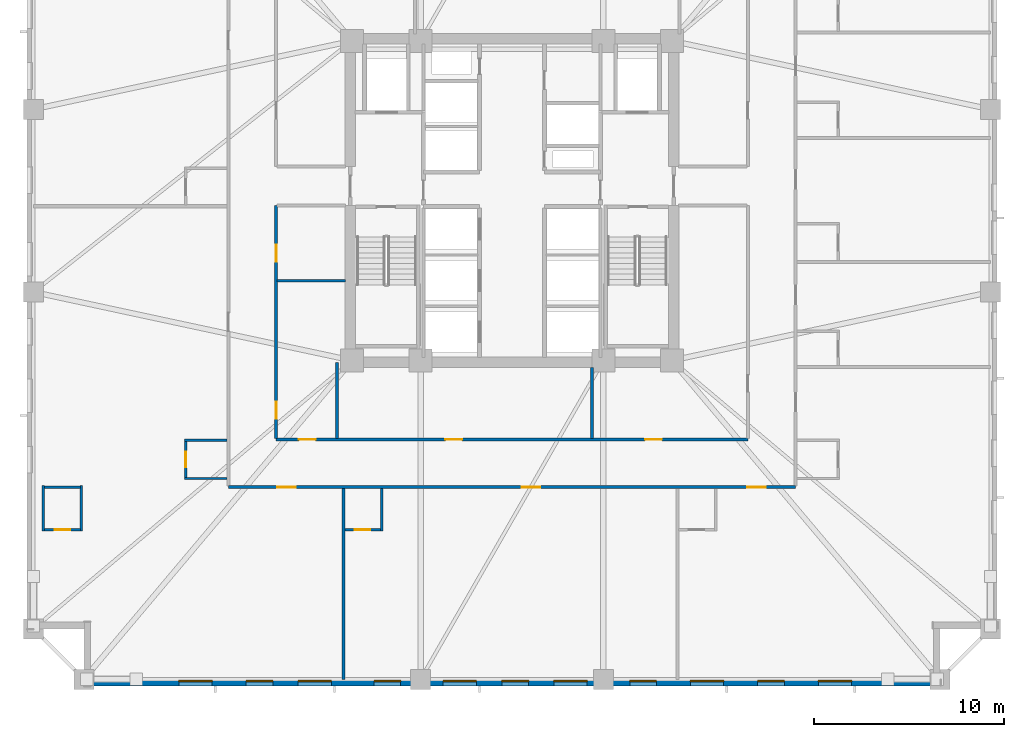
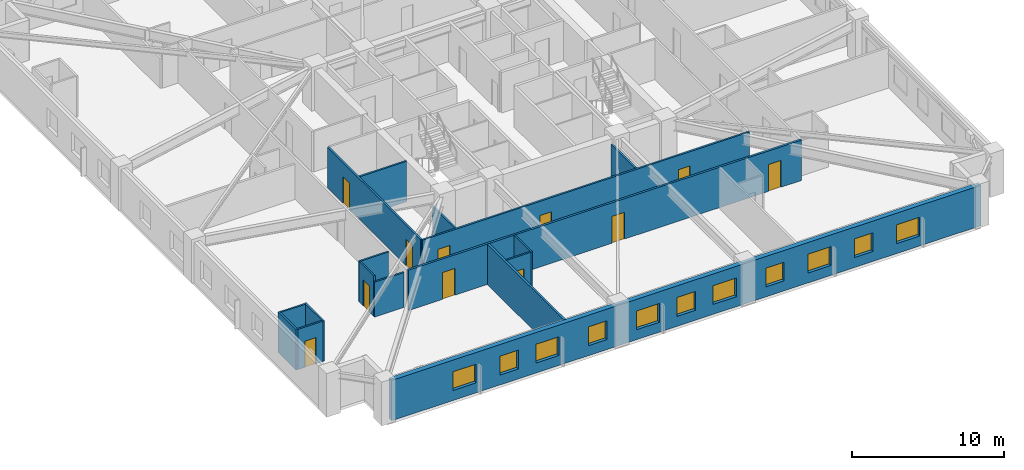
# One storey, part 2 of 11: 17 walls, 11 doors, 11 windows, 22 openings.
"""IFC4 building model written with IfcOpenShell, lengths in metres."""

from ifc_helpers import new_model, si_unit, direction, frame, frame_2d, origin, place, context, subcontext, project, spatial, rectangle, extrude, material, layer, layer_set, type_object, element, fill, save


model = new_model("IFC4")

# Units and contexts
model_context = context("Model", 3, precision=1e-05, world=origin(), true_north=direction((0.0, 1.0)))
body_context = subcontext(model_context, "Body", "Model", "MODEL_VIEW")
ifc_project = project(units=[si_unit("LENGTHUNIT", "METRE"), si_unit("AREAUNIT", "SQUARE_METRE"), si_unit("VOLUMEUNIT", "CUBIC_METRE"), si_unit("PLANEANGLEUNIT", "RADIAN"), si_unit("MASSUNIT", "GRAM", prefix="KILO")], contexts=[model_context])

# Site, building, storey
site_placement = place(None, origin())
site = spatial("IfcSite", under=ifc_project, at=site_placement, CompositionType="ELEMENT")
building_placement = place(site_placement, origin())
building = spatial("IfcBuilding", under=site, at=building_placement, Name="Cairnveth Concourse Tower", CompositionType="ELEMENT")
storey_placement = place(building_placement, frame((0.0, 0.0, 93.5)))
storey = spatial("IfcBuildingStorey", under=building, at=storey_placement, Name="L25", CompositionType="ELEMENT", Elevation=93.5)

# Wall, openings, doors
ifc_material_1 = material(Name="Gypsum Plasterboard Partition", Category="gypsum")
ifc_layer_1 = layer(ifc_material_1, 0.159912109375)
ifc_layer_set_1 = layer_set([ifc_layer_1], Name="Gypsum Plasterboard Partition")
wall_type_1 = type_object("IfcWallType", Name="ACOUSTIC PARTY WALL 180", PredefinedType="PARTITIONING", material=ifc_layer_set_1)
wall_1_placement = place(storey_placement, frame((37.10009765625, 23.949951171875, 0.0), z_axis=(0.0, 0.0, 1.0), x_axis=(1.0, 0.0, 0.0)))
wall_1 = element("IfcWall", 1, at=wall_1_placement, inside=storey, type_object=wall_type_1, Name="Interior Wall IW-L25-037", PredefinedType="PARTITIONING", context=body_context, shape_type="SweptSolid", body=[
    extrude(rectangle(XDim=29.7998046875, YDim=0.159912109375, at=frame_2d((14.89990234375, 0.0))), origin(), (0.0, 0.0, 1.0), 3.239990234375),
])
opening_1_placement = place(wall_1_placement, frame((2.5712890625, 0.0, 0.0)))
opening_1 = element("IfcOpeningElement", 2, at=opening_1_placement, cuts=wall_1, Name="Opening ID09", PredefinedType="OPENING", context=body_context, shape_type="SweptSolid", body=[
    extrude(rectangle(XDim=0.9599609375, YDim=2.14990234375, at=frame_2d((0.47998046875, 1.074951171875))), frame((0.0, 0.08984375, 0.0), z_axis=(0.0, -1.0, 0.0), x_axis=(1.0, 0.0, 0.0)), (0.0, 0.0, 1.0), 0.179931640625),
])
opening_2_placement = place(wall_1_placement, frame((15.419921875, 0.0, 0.0)))
opening_2 = element("IfcOpeningElement", 3, at=opening_2_placement, cuts=wall_1, Name="Opening ID09", PredefinedType="OPENING", context=body_context, shape_type="SweptSolid", body=[
    extrude(rectangle(XDim=0.9599609375, YDim=2.14990234375, at=frame_2d((0.47998046875, 1.074951171875))), frame((0.0, 0.08984375, 0.0), z_axis=(0.0, -1.0, 0.0), x_axis=(1.0, 0.0, 0.0)), (0.0, 0.0, 1.0), 0.179931640625),
])
opening_3_placement = place(wall_1_placement, frame((27.268798828125, 0.0, 0.0)))
opening_3 = element("IfcOpeningElement", 4, at=opening_3_placement, cuts=wall_1, Name="Opening ID09", PredefinedType="OPENING", context=body_context, shape_type="SweptSolid", body=[
    extrude(rectangle(XDim=0.9599609375, YDim=2.14990234375, at=frame_2d((0.47998046875, 1.074951171875))), frame((0.0, 0.08984375, 0.0), z_axis=(0.0, -1.0, 0.0), x_axis=(1.0, 0.0, 0.0)), (0.0, 0.0, 1.0), 0.179931640625),
])
ifc_material_2 = material(Name="Solid Core Hardwood Timber Leaf", Category="wood")
door_type_1 = type_object("IfcDoorType", Name="HOTEL ENTRANCE DOOR 960X2150", OperationType="NOTDEFINED", PredefinedType="DOOR", material=ifc_material_2)
door_1_placement = place(opening_1_placement, origin())
door_1 = element("IfcDoor", 5, at=door_1_placement, inside=storey, type_object=door_type_1, Name="Hotel Room Door L25-S1", OperationType="SINGLE_SWING_LEFT", OverallHeight=2.14990234375, OverallWidth=0.9599609375, PredefinedType="DOOR", context=body_context, shape_type="SweptSolid", body=[
    extrude(rectangle(XDim=0.9599609375, YDim=2.14990234375, at=frame_2d((0.47998046875, 1.074951171875))), frame((0.0, 0.02490234375, 0.0), z_axis=(0.0, -1.0, 0.0), x_axis=(1.0, 0.0, 0.0)), (0.0, 0.0, 1.0), 0.050048828125),
])
fill(opening_1, door_1)
door_2_placement = place(opening_2_placement, origin())
door_2 = element("IfcDoor", 6, at=door_2_placement, inside=storey, type_object=door_type_1, Name="Hotel Room Door L25-S2", OperationType="SINGLE_SWING_LEFT", OverallHeight=2.14990234375, OverallWidth=0.9599609375, PredefinedType="DOOR", context=body_context, shape_type="SweptSolid", body=[
    extrude(rectangle(XDim=0.9599609375, YDim=2.14990234375, at=frame_2d((0.47998046875, 1.074951171875))), frame((0.0, 0.02490234375, 0.0), z_axis=(0.0, -1.0, 0.0), x_axis=(1.0, 0.0, 0.0)), (0.0, 0.0, 1.0), 0.050048828125),
])
fill(opening_2, door_2)
door_3_placement = place(opening_3_placement, origin())
door_3 = element("IfcDoor", 7, at=door_3_placement, inside=storey, type_object=door_type_1, Name="Hotel Room Door L25-S3", OperationType="SINGLE_SWING_LEFT", OverallHeight=2.14990234375, OverallWidth=0.9599609375, PredefinedType="DOOR", context=body_context, shape_type="SweptSolid", body=[
    extrude(rectangle(XDim=0.9599609375, YDim=2.14990234375, at=frame_2d((0.47998046875, 1.074951171875))), frame((0.0, 0.02490234375, 0.0), z_axis=(0.0, -1.0, 0.0), x_axis=(1.0, 0.0, 0.0)), (0.0, 0.0, 1.0), 0.050048828125),
])
fill(opening_3, door_3)

# Wall
wall_2_placement = place(storey_placement, frame((43.152587890625, 13.844970703125, 0.0), z_axis=(0.0, 0.0, 1.0), x_axis=(0.0, 1.0, 0.0)))
element("IfcWall", 8, at=wall_2_placement, inside=storey, type_object=wall_type_1, Name="Interior Wall IW-L25-060", PredefinedType="PARTITIONING", context=body_context, shape_type="SweptSolid", body=[
    extrude(rectangle(XDim=10.0400390625, YDim=0.159912109375, at=frame_2d((5.02001953125, 0.0))), origin(), (0.0, 0.0, 1.0), 3.239990234375),
])

# Wall, openings, doors
ifc_layer_2 = layer(ifc_material_1, 0.139892578125)
ifc_layer_set_2 = layer_set([ifc_layer_2], Name="Gypsum Plasterboard Partition")
wall_type_2 = type_object("IfcWallType", Name="GYPSUM STUD PARTITION 140", PredefinedType="PARTITIONING", material=ifc_layer_set_2)
wall_3_placement = place(storey_placement, frame((39.60009765625, 26.449951171875, 0.0), z_axis=(0.0, 0.0, 1.0), x_axis=(1.0, 0.0, 0.0)))
wall_3 = element("IfcWall", 9, at=wall_3_placement, inside=storey, type_object=wall_type_2, Name="Interior Wall IW-L25-041", PredefinedType="PARTITIONING", context=body_context, shape_type="SweptSolid", body=[
    extrude(rectangle(XDim=24.7998046875, YDim=0.139892578125, at=frame_2d((12.39990234375, 0.0))), origin(), (0.0, 0.0, 1.0), 3.239990234375),
])
opening_4_placement = place(wall_3_placement, frame((1.199951171875, 0.0, 0.0)))
opening_4 = element("IfcOpeningElement", 10, at=opening_4_placement, cuts=wall_3, Name="Opening ID18", PredefinedType="OPENING", context=body_context, shape_type="SweptSolid", body=[
    extrude(rectangle(XDim=0.8798828125, YDim=2.10009765625, at=frame_2d((0.43994140625, 1.050048828125))), frame((0.0, 0.079833984375, 0.0), z_axis=(0.0, -1.0, 0.0), x_axis=(1.0, 0.0, 0.0)), (0.0, 0.0, 1.0), 0.159912109375),
])
opening_5_placement = place(wall_3_placement, frame((8.89990234375, 0.0, 0.0)))
opening_5 = element("IfcOpeningElement", 11, at=opening_5_placement, cuts=wall_3, Name="Opening ID18", PredefinedType="OPENING", context=body_context, shape_type="SweptSolid", body=[
    extrude(rectangle(XDim=0.8798828125, YDim=2.10009765625, at=frame_2d((0.43994140625, 1.050048828125))), frame((0.0, 0.079833984375, 0.0), z_axis=(0.0, -1.0, 0.0), x_axis=(1.0, 0.0, 0.0)), (0.0, 0.0, 1.0), 0.159912109375),
])
opening_6_placement = place(wall_3_placement, frame((19.39990234375, 0.0, 0.0)))
opening_6 = element("IfcOpeningElement", 12, at=opening_6_placement, cuts=wall_3, Name="Opening ID18", PredefinedType="OPENING", context=body_context, shape_type="SweptSolid", body=[
    extrude(rectangle(XDim=0.8798828125, YDim=2.10009765625, at=frame_2d((0.43994140625, 1.050048828125))), frame((0.0, 0.079833984375, 0.0), z_axis=(0.0, -1.0, 0.0), x_axis=(1.0, 0.0, 0.0)), (0.0, 0.0, 1.0), 0.159912109375),
])
door_type_2 = type_object("IfcDoorType", Name="INTERIOR SINGLE DOOR 880X2100", OperationType="NOTDEFINED", PredefinedType="DOOR", material=ifc_material_2)
door_4_placement = place(opening_4_placement, origin())
door_4 = element("IfcDoor", 13, at=door_4_placement, inside=storey, type_object=door_type_2, Name="Interior Door DR-L25-013", OperationType="SINGLE_SWING_LEFT", OverallHeight=2.10009765625, OverallWidth=0.8798828125, PredefinedType="DOOR", context=body_context, shape_type="SweptSolid", body=[
    extrude(rectangle(XDim=0.8798828125, YDim=2.10009765625, at=frame_2d((0.43994140625, 1.050048828125))), frame((0.0, 0.02490234375, 0.0), z_axis=(0.0, -1.0, 0.0), x_axis=(1.0, 0.0, 0.0)), (0.0, 0.0, 1.0), 0.050048828125),
])
fill(opening_4, door_4)
door_5_placement = place(opening_5_placement, origin())
door_5 = element("IfcDoor", 14, at=door_5_placement, inside=storey, type_object=door_type_2, Name="Interior Door DR-L25-014", OperationType="SINGLE_SWING_RIGHT", OverallHeight=2.10009765625, OverallWidth=0.8798828125, PredefinedType="DOOR", context=body_context, shape_type="SweptSolid", body=[
    extrude(rectangle(XDim=0.8798828125, YDim=2.10009765625, at=frame_2d((0.43994140625, 1.050048828125))), frame((0.0, 0.02490234375, 0.0), z_axis=(0.0, -1.0, 0.0), x_axis=(1.0, 0.0, 0.0)), (0.0, 0.0, 1.0), 0.050048828125),
])
fill(opening_5, door_5)
door_6_placement = place(opening_6_placement, origin())
door_6 = element("IfcDoor", 15, at=door_6_placement, inside=storey, type_object=door_type_2, Name="Interior Door DR-L25-015", OperationType="SINGLE_SWING_LEFT", OverallHeight=2.10009765625, OverallWidth=0.8798828125, PredefinedType="DOOR", context=body_context, shape_type="SweptSolid", body=[
    extrude(rectangle(XDim=0.8798828125, YDim=2.10009765625, at=frame_2d((0.43994140625, 1.050048828125))), frame((0.0, 0.02490234375, 0.0), z_axis=(0.0, -1.0, 0.0), x_axis=(1.0, 0.0, 0.0)), (0.0, 0.0, 1.0), 0.050048828125),
])
fill(opening_6, door_6)

wall_4_placement = place(storey_placement, frame((39.60009765625, 26.5048828125, 0.0), z_axis=(0.0, 0.0, 1.0), x_axis=(0.0, 1.0, 0.0)))
wall_4 = element("IfcWall", 16, at=wall_4_placement, inside=storey, type_object=wall_type_2, Name="Interior Wall IW-L25-043", PredefinedType="PARTITIONING", context=body_context, shape_type="SweptSolid", body=[
    extrude(rectangle(XDim=12.2451171875, YDim=0.139892578125, at=frame_2d((6.12255859375, 0.0))), origin(), (0.0, 0.0, 1.0), 3.239990234375),
])
opening_7_placement = place(wall_4_placement, frame((1.044921875, 0.0, 0.0)))
opening_7 = element("IfcOpeningElement", 17, at=opening_7_placement, cuts=wall_4, Name="Opening ID18", PredefinedType="OPENING", context=body_context, shape_type="SweptSolid", body=[
    extrude(rectangle(XDim=0.8798828125, YDim=2.10009765625, at=frame_2d((0.43994140625, 1.050048828125))), frame((0.0, 0.079833984375, 0.0), z_axis=(0.0, -1.0, 0.0), x_axis=(1.0, 0.0, 0.0)), (0.0, 0.0, 1.0), 0.159912109375),
])
opening_8_placement = place(wall_4_placement, frame((9.294921875, 0.0, 0.0)))
opening_8 = element("IfcOpeningElement", 18, at=opening_8_placement, cuts=wall_4, Name="Opening ID18", PredefinedType="OPENING", context=body_context, shape_type="SweptSolid", body=[
    extrude(rectangle(XDim=0.8798828125, YDim=2.10009765625, at=frame_2d((0.43994140625, 1.050048828125))), frame((0.0, 0.079833984375, 0.0), z_axis=(0.0, -1.0, 0.0), x_axis=(1.0, 0.0, 0.0)), (0.0, 0.0, 1.0), 0.159912109375),
])
door_7_placement = place(opening_7_placement, origin())
door_7 = element("IfcDoor", 19, at=door_7_placement, inside=storey, type_object=door_type_2, Name="Interior Door DR-L25-019", OperationType="SINGLE_SWING_LEFT", OverallHeight=2.10009765625, OverallWidth=0.8798828125, PredefinedType="DOOR", context=body_context, shape_type="SweptSolid", body=[
    extrude(rectangle(XDim=0.8798828125, YDim=2.10009765625, at=frame_2d((0.43994140625, 1.050048828125))), frame((0.0, 0.02490234375, 0.0), z_axis=(0.0, -1.0, 0.0), x_axis=(1.0, 0.0, 0.0)), (0.0, 0.0, 1.0), 0.050048828125),
])
fill(opening_7, door_7)
door_8_placement = place(opening_8_placement, origin())
door_8 = element("IfcDoor", 20, at=door_8_placement, inside=storey, type_object=door_type_2, Name="Interior Door DR-L25-020", OperationType="SINGLE_SWING_RIGHT", OverallHeight=2.10009765625, OverallWidth=0.8798828125, PredefinedType="DOOR", context=body_context, shape_type="SweptSolid", body=[
    extrude(rectangle(XDim=0.8798828125, YDim=2.10009765625, at=frame_2d((0.43994140625, 1.050048828125))), frame((0.0, 0.02490234375, 0.0), z_axis=(0.0, -1.0, 0.0), x_axis=(1.0, 0.0, 0.0)), (0.0, 0.0, 1.0), 0.050048828125),
])
fill(opening_8, door_8)

# Walls
wall_5_placement = place(storey_placement, frame((42.800048828125, 26.5048828125, 0.0), z_axis=(0.0, 0.0, 1.0), x_axis=(0.0, 1.0, 0.0)))
element("IfcWall", 21, at=wall_5_placement, inside=storey, type_object=wall_type_2, Name="Interior Wall IW-L25-051", PredefinedType="PARTITIONING", context=body_context, shape_type="SweptSolid", body=[
    extrude(rectangle(XDim=3.9951171875, YDim=0.139892578125, at=frame_2d((1.99755859375, 0.0))), origin(), (0.0, 0.0, 1.0), 2.39892578125),
])
wall_6_placement = place(storey_placement, frame((56.199951171875, 26.5048828125, 0.0), z_axis=(0.0, 0.0, 1.0), x_axis=(0.0, 1.0, 0.0)))
element("IfcWall", 22, at=wall_6_placement, inside=storey, type_object=wall_type_2, Name="Interior Wall IW-L25-052", PredefinedType="PARTITIONING", context=body_context, shape_type="SweptSolid", body=[
    extrude(rectangle(XDim=3.735107421875, YDim=0.139892578125, at=frame_2d((1.86767578125, 0.0))), origin(), (0.0, 0.0, 1.0), 2.80908203125),
])
wall_7_placement = place(storey_placement, frame((39.655029296875, 34.800048828125, 0.0), z_axis=(0.0, 0.0, 1.0), x_axis=(1.0, 0.0, 0.0)))
element("IfcWall", 23, at=wall_7_placement, inside=storey, type_object=wall_type_2, Name="Interior Wall IW-L25-055", PredefinedType="PARTITIONING", context=body_context, shape_type="SweptSolid", body=[
    extrude(rectangle(XDim=3.5849609375, YDim=0.139892578125, at=frame_2d((1.79248046875, 0.0))), origin(), (0.0, 0.0, 1.0), 3.239990234375),
])
ifc_layer_3 = layer(ifc_material_1, 0.1298828125)
ifc_layer_set_3 = layer_set([ifc_layer_3], Name="Gypsum Plasterboard Partition")
wall_type_3 = type_object("IfcWallType", Name="WET AREA PARTITION 140", PredefinedType="PLUMBINGWALL", material=ifc_layer_set_3)
for number, where, z_axis, x_axis, name in (
    (24, (27.3701171875, 21.64990234375, 0.0), (0.0, 0.0, 1.0), (0.0, 1.0, 0.0), "Interior Wall IW-L25-056"),
    (25, (29.3701171875, 21.64990234375, 0.0), (0.0, 0.0, 1.0), (0.0, 1.0, 0.0), "Interior Wall IW-L25-057"),
):
    element("IfcWall", number, at=place(storey_placement, frame(where, z_axis=z_axis, x_axis=x_axis)), inside=storey, type_object=wall_type_3, Name=name, PredefinedType="PLUMBINGWALL", context=body_context, shape_type="SweptSolid", body=[
        extrude(rectangle(XDim=2.380126953125, YDim=0.1298828125, at=frame_2d((1.18994140625, 0.0))), origin(), (0.0, 0.0, 1.0), 3.239990234375),
    ])

# Wall, opening, door
wall_8_placement = place(storey_placement, frame((27.419921875, 21.699951171875, 0.0), z_axis=(0.0, 0.0, 1.0), x_axis=(1.0, 0.0, 0.0)))
wall_8 = element("IfcWall", 26, at=wall_8_placement, inside=storey, type_object=wall_type_3, Name="Interior Wall IW-L25-058", PredefinedType="PLUMBINGWALL", context=body_context, shape_type="SweptSolid", body=[
    extrude(rectangle(XDim=1.900146484375, YDim=0.1298828125, at=frame_2d((0.9501953125, 0.0))), origin(), (0.0, 0.0, 1.0), 3.239990234375),
])
opening_9_placement = place(wall_8_placement, frame((0.5400390625, 0.0, 0.0)))
opening_9 = element("IfcOpeningElement", 27, at=opening_9_placement, cuts=wall_8, Name="Opening ID22", PredefinedType="OPENING", context=body_context, shape_type="SweptSolid", body=[
    extrude(rectangle(XDim=0.820068359375, YDim=2.10009765625, at=frame_2d((0.41015625, 1.050048828125))), frame((0.0, 0.074951171875, 0.0), z_axis=(0.0, -1.0, 0.0), x_axis=(1.0, 0.0, 0.0)), (0.0, 0.0, 1.0), 0.14990234375),
])
door_type_3 = type_object("IfcDoorType", Name="INTERIOR WC DOOR 820X2100", OperationType="NOTDEFINED", PredefinedType="DOOR", material=ifc_material_2)
door_9_placement = place(opening_9_placement, origin())
door_9 = element("IfcDoor", 28, at=door_9_placement, inside=storey, type_object=door_type_3, Name="En-Suite Door L25-S1", OperationType="SINGLE_SWING_RIGHT", OverallHeight=2.10009765625, OverallWidth=0.820068359375, PredefinedType="DOOR", context=body_context, shape_type="SweptSolid", body=[
    extrude(rectangle(XDim=0.820068359375, YDim=2.10009765625, at=frame_2d((0.41015625, 1.050048828125))), frame((0.0, 0.02490234375, 0.0), z_axis=(0.0, -1.0, 0.0), x_axis=(1.0, 0.0, 0.0)), (0.0, 0.0, 1.0), 0.050048828125),
])
fill(opening_9, door_9)

# Walls
wall_9_placement = place(storey_placement, frame((27.419921875, 23.949951171875, 0.0), z_axis=(0.0, 0.0, 1.0), x_axis=(1.0, 0.0, 0.0)))
element("IfcWall", 29, at=wall_9_placement, inside=storey, type_object=wall_type_3, Name="Interior Wall IW-L25-059", PredefinedType="PLUMBINGWALL", context=body_context, shape_type="SweptSolid", body=[
    extrude(rectangle(XDim=1.900146484375, YDim=0.1298828125, at=frame_2d((0.9501953125, 0.0))), origin(), (0.0, 0.0, 1.0), 3.239990234375),
])
wall_10_placement = place(storey_placement, frame((45.152587890625, 21.64990234375, 0.0), z_axis=(0.0, 0.0, 1.0), x_axis=(0.0, 1.0, 0.0)))
element("IfcWall", 30, at=wall_10_placement, inside=storey, type_object=wall_type_3, Name="Interior Wall IW-L25-061", PredefinedType="PLUMBINGWALL", context=body_context, shape_type="SweptSolid", body=[
    extrude(rectangle(XDim=2.235107421875, YDim=0.1298828125, at=frame_2d((1.11767578125, 0.0))), origin(), (0.0, 0.0, 1.0), 3.239990234375),
])

# Wall, opening, door
wall_11_placement = place(storey_placement, frame((43.217529296875, 21.699951171875, 0.0), z_axis=(0.0, 0.0, 1.0), x_axis=(1.0, 0.0, 0.0)))
wall_11 = element("IfcWall", 31, at=wall_11_placement, inside=storey, type_object=wall_type_3, Name="Interior Wall IW-L25-062", PredefinedType="PLUMBINGWALL", context=body_context, shape_type="SweptSolid", body=[
    extrude(rectangle(XDim=1.885009765625, YDim=0.1298828125, at=frame_2d((0.9423828125, 0.0))), origin(), (0.0, 0.0, 1.0), 3.239990234375),
])
opening_10_placement = place(wall_11_placement, frame((0.52490234375, 0.0, 0.0)))
opening_10 = element("IfcOpeningElement", 32, at=opening_10_placement, cuts=wall_11, Name="Opening ID22", PredefinedType="OPENING", context=body_context, shape_type="SweptSolid", body=[
    extrude(rectangle(XDim=0.820068359375, YDim=2.10009765625, at=frame_2d((0.41015625, 1.050048828125))), frame((0.0, 0.074951171875, 0.0), z_axis=(0.0, -1.0, 0.0), x_axis=(1.0, 0.0, 0.0)), (0.0, 0.0, 1.0), 0.14990234375),
])
door_10_placement = place(opening_10_placement, origin())
door_10 = element("IfcDoor", 33, at=door_10_placement, inside=storey, type_object=door_type_3, Name="En-Suite Door L25-S2", OperationType="SINGLE_SWING_RIGHT", OverallHeight=2.10009765625, OverallWidth=0.820068359375, PredefinedType="DOOR", context=body_context, shape_type="SweptSolid", body=[
    extrude(rectangle(XDim=0.820068359375, YDim=2.10009765625, at=frame_2d((0.41015625, 1.050048828125))), frame((0.0, 0.02490234375, 0.0), z_axis=(0.0, -1.0, 0.0), x_axis=(1.0, 0.0, 0.0)), (0.0, 0.0, 1.0), 0.050048828125),
])
fill(opening_10, door_10)

# Walls
wall_12_placement = place(storey_placement, frame((34.800048828125, 24.39990234375, 0.0), z_axis=(0.0, 0.0, 1.0), x_axis=(1.0, 0.0, 0.0)))
element("IfcWall", 34, at=wall_12_placement, inside=storey, type_object=wall_type_3, Name="Interior Wall IW-L25-088", PredefinedType="PLUMBINGWALL", context=body_context, shape_type="SweptSolid", body=[
    extrude(rectangle(XDim=2.23486328125, YDim=0.1298828125, at=frame_2d((1.117431640625, 0.0))), origin(), (0.0, 0.0, 1.0), 2.80908203125),
])
wall_13_placement = place(storey_placement, frame((34.800048828125, 26.39990234375, 0.0), z_axis=(0.0, 0.0, 1.0), x_axis=(1.0, 0.0, 0.0)))
element("IfcWall", 35, at=wall_13_placement, inside=storey, type_object=wall_type_3, Name="Interior Wall IW-L25-089", PredefinedType="PLUMBINGWALL", context=body_context, shape_type="SweptSolid", body=[
    extrude(rectangle(XDim=2.23486328125, YDim=0.1298828125, at=frame_2d((1.117431640625, 0.0))), origin(), (0.0, 0.0, 1.0), 3.239990234375),
])

# Wall, opening, door
wall_14_placement = place(storey_placement, frame((34.85009765625, 24.449951171875, 0.0), z_axis=(0.0, 0.0, 1.0), x_axis=(0.0, 1.0, 0.0)))
wall_14 = element("IfcWall", 36, at=wall_14_placement, inside=storey, type_object=wall_type_3, Name="Interior Wall IW-L25-090", PredefinedType="PLUMBINGWALL", context=body_context, shape_type="SweptSolid", body=[
    extrude(rectangle(XDim=1.900146484375, YDim=0.1298828125, at=frame_2d((0.9501953125, 0.0))), origin(), (0.0, 0.0, 1.0), 3.239990234375),
])
opening_11_placement = place(wall_14_placement, frame((0.5400390625, 0.0, 0.0)))
opening_11 = element("IfcOpeningElement", 37, at=opening_11_placement, cuts=wall_14, Name="Opening ID22", PredefinedType="OPENING", context=body_context, shape_type="SweptSolid", body=[
    extrude(rectangle(XDim=0.820068359375, YDim=2.10009765625, at=frame_2d((0.41015625, 1.050048828125))), frame((0.0, 0.074951171875, 0.0), z_axis=(0.0, -1.0, 0.0), x_axis=(1.0, 0.0, 0.0)), (0.0, 0.0, 1.0), 0.14990234375),
])
door_11_placement = place(opening_11_placement, origin())
door_11 = element("IfcDoor", 38, at=door_11_placement, inside=storey, type_object=door_type_3, Name="En-Suite Door L25-W1", OperationType="SINGLE_SWING_RIGHT", OverallHeight=2.10009765625, OverallWidth=0.820068359375, PredefinedType="DOOR", context=body_context, shape_type="SweptSolid", body=[
    extrude(rectangle(XDim=0.820068359375, YDim=2.10009765625, at=frame_2d((0.41015625, 1.050048828125))), frame((0.0, 0.02490234375, 0.0), z_axis=(0.0, -1.0, 0.0), x_axis=(1.0, 0.0, 0.0)), (0.0, 0.0, 1.0), 0.050048828125),
])
fill(opening_11, door_11)

# Wall, openings, windows
ifc_material_3 = material(Name="Hawthorn Red-Ochre Fired Clay Brick Masonry", Category="masonry")
ifc_layer_4 = layer(ifc_material_3, 0.360107421875)
ifc_layer_set_4 = layer_set([ifc_layer_4], Name="Hawthorn Red-Ochre Fired Clay Brick Masonry")
wall_type_4 = type_object("IfcWallType", Name="ZONE 1 BRICK PIER SPANDREL WALL 360", PredefinedType="SOLIDWALL", material=ifc_layer_set_4)
wall_15_placement = place(storey_placement, frame((74.5, 13.679931640625, 0.0), z_axis=(0.0, 0.0, 1.0), x_axis=(-1.0, 0.0, 0.0)))
wall_15 = element("IfcWall", 39, at=wall_15_placement, inside=storey, type_object=wall_type_4, Name="Exterior Wall EW-L25-S06", PredefinedType="SOLIDWALL", context=body_context, shape_type="SweptSolid", body=[
    extrude(rectangle(XDim=44.662109375, YDim=0.360107421875, at=frame_2d((22.3310546875, 0.0))), origin(), (0.0, 0.0, 1.0), 3.239990234375),
])
opening_12_placement = place(wall_15_placement, frame((4.655029296875, 0.0, 0.800048828125)))
opening_12 = element("IfcOpeningElement", 40, at=opening_12_placement, cuts=wall_15, Name="Opening W06", PredefinedType="OPENING", context=body_context, shape_type="SweptSolid", body=[
    extrude(rectangle(XDim=1.75, YDim=1.50390625, at=frame_2d((0.875, 0.751953125))), frame((0.0, 0.18994140625, 0.0), z_axis=(0.0, -1.0, 0.0), x_axis=(1.0, 0.0, 0.0)), (0.0, 0.0, 1.0), 0.380126953125),
])
opening_13_placement = place(wall_15_placement, frame((8.190185546875, 0.0, 0.800048828125)))
opening_13 = element("IfcOpeningElement", 41, at=opening_13_placement, cuts=wall_15, Name="Opening W05", PredefinedType="OPENING", context=body_context, shape_type="SweptSolid", body=[
    extrude(rectangle(XDim=1.39990234375, YDim=1.50390625, at=frame_2d((0.699951171875, 0.751953125))), frame((0.0, 0.18994140625, 0.0), z_axis=(0.0, -1.0, 0.0), x_axis=(1.0, 0.0, 0.0)), (0.0, 0.0, 1.0), 0.380126953125),
])
opening_14_placement = place(wall_15_placement, frame((11.37548828125, 0.0, 0.800048828125)))
opening_14 = element("IfcOpeningElement", 42, at=opening_14_placement, cuts=wall_15, Name="Opening W06", PredefinedType="OPENING", context=body_context, shape_type="SweptSolid", body=[
    extrude(rectangle(XDim=1.75, YDim=1.50390625, at=frame_2d((0.875, 0.751953125))), frame((0.0, 0.18994140625, 0.0), z_axis=(0.0, -1.0, 0.0), x_axis=(1.0, 0.0, 0.0)), (0.0, 0.0, 1.0), 0.380126953125),
])
opening_15_placement = place(wall_15_placement, frame((14.91064453125, 0.0, 0.800048828125)))
opening_15 = element("IfcOpeningElement", 43, at=opening_15_placement, cuts=wall_15, Name="Opening W05", PredefinedType="OPENING", context=body_context, shape_type="SweptSolid", body=[
    extrude(rectangle(XDim=1.39990234375, YDim=1.50390625, at=frame_2d((0.699951171875, 0.751953125))), frame((0.0, 0.18994140625, 0.0), z_axis=(0.0, -1.0, 0.0), x_axis=(1.0, 0.0, 0.0)), (0.0, 0.0, 1.0), 0.380126953125),
])
opening_16_placement = place(wall_15_placement, frame((18.5458984375, 0.0, 0.800048828125)))
opening_16 = element("IfcOpeningElement", 44, at=opening_16_placement, cuts=wall_15, Name="Opening W06", PredefinedType="OPENING", context=body_context, shape_type="SweptSolid", body=[
    extrude(rectangle(XDim=1.75, YDim=1.50390625, at=frame_2d((0.875, 0.751953125))), frame((0.0, 0.18994140625, 0.0), z_axis=(0.0, -1.0, 0.0), x_axis=(1.0, 0.0, 0.0)), (0.0, 0.0, 1.0), 0.380126953125),
])
opening_17_placement = place(wall_15_placement, frame((21.631103515625, 0.0, 0.800048828125)))
opening_17 = element("IfcOpeningElement", 45, at=opening_17_placement, cuts=wall_15, Name="Opening W05", PredefinedType="OPENING", context=body_context, shape_type="SweptSolid", body=[
    extrude(rectangle(XDim=1.39990234375, YDim=1.50390625, at=frame_2d((0.699951171875, 0.751953125))), frame((0.0, 0.18994140625, 0.0), z_axis=(0.0, -1.0, 0.0), x_axis=(1.0, 0.0, 0.0)), (0.0, 0.0, 1.0), 0.380126953125),
])
opening_18_placement = place(wall_15_placement, frame((24.3662109375, 0.0, 0.800048828125)))
opening_18 = element("IfcOpeningElement", 46, at=opening_18_placement, cuts=wall_15, Name="Opening W06", PredefinedType="OPENING", context=body_context, shape_type="SweptSolid", body=[
    extrude(rectangle(XDim=1.75, YDim=1.50390625, at=frame_2d((0.875, 0.751953125))), frame((0.0, 0.18994140625, 0.0), z_axis=(0.0, -1.0, 0.0), x_axis=(1.0, 0.0, 0.0)), (0.0, 0.0, 1.0), 0.380126953125),
])
opening_19_placement = place(wall_15_placement, frame((28.351318359375, 0.0, 0.800048828125)))
opening_19 = element("IfcOpeningElement", 47, at=opening_19_placement, cuts=wall_15, Name="Opening W05", PredefinedType="OPENING", context=body_context, shape_type="SweptSolid", body=[
    extrude(rectangle(XDim=1.39990234375, YDim=1.50390625, at=frame_2d((0.699951171875, 0.751953125))), frame((0.0, 0.18994140625, 0.0), z_axis=(0.0, -1.0, 0.0), x_axis=(1.0, 0.0, 0.0)), (0.0, 0.0, 1.0), 0.380126953125),
])
opening_20_placement = place(wall_15_placement, frame((31.986572265625, 0.0, 0.800048828125)))
opening_20 = element("IfcOpeningElement", 48, at=opening_20_placement, cuts=wall_15, Name="Opening W06", PredefinedType="OPENING", context=body_context, shape_type="SweptSolid", body=[
    extrude(rectangle(XDim=1.75, YDim=1.50390625, at=frame_2d((0.875, 0.751953125))), frame((0.0, 0.18994140625, 0.0), z_axis=(0.0, -1.0, 0.0), x_axis=(1.0, 0.0, 0.0)), (0.0, 0.0, 1.0), 0.380126953125),
])
opening_21_placement = place(wall_15_placement, frame((35.07177734375, 0.0, 0.800048828125)))
opening_21 = element("IfcOpeningElement", 49, at=opening_21_placement, cuts=wall_15, Name="Opening W05", PredefinedType="OPENING", context=body_context, shape_type="SweptSolid", body=[
    extrude(rectangle(XDim=1.39990234375, YDim=1.50390625, at=frame_2d((0.699951171875, 0.751953125))), frame((0.0, 0.18994140625, 0.0), z_axis=(0.0, -1.0, 0.0), x_axis=(1.0, 0.0, 0.0)), (0.0, 0.0, 1.0), 0.380126953125),
])
opening_22_placement = place(wall_15_placement, frame((38.2568359375, 0.0, 0.800048828125)))
opening_22 = element("IfcOpeningElement", 50, at=opening_22_placement, cuts=wall_15, Name="Opening W06", PredefinedType="OPENING", context=body_context, shape_type="SweptSolid", body=[
    extrude(rectangle(XDim=1.75, YDim=1.50390625, at=frame_2d((0.875, 0.751953125))), frame((0.0, 0.18994140625, 0.0), z_axis=(0.0, -1.0, 0.0), x_axis=(1.0, 0.0, 0.0)), (0.0, 0.0, 1.0), 0.380126953125),
])
ifc_material_4 = material(Name="Double Glazed Low-E Clear Glass", Category="glass")
window_type_1 = type_object("IfcWindowType", Name="DEEP-SET HOTEL CASEMENT WINDOW 1400X1750", PartitioningType="DOUBLE_PANEL_VERTICAL", PredefinedType="WINDOW", material=ifc_material_4)
window_1_placement = place(opening_13_placement, origin())
window_1 = element("IfcWindow", 51, at=window_1_placement, inside=storey, type_object=window_type_1, Name="Gothic Lancet Window L25-6-2", OverallHeight=1.50390625, OverallWidth=1.39990234375, PartitioningType="SINGLE_PANEL", PredefinedType="WINDOW", context=body_context, shape_type="SweptSolid", body=[
    extrude(rectangle(XDim=1.39990234375, YDim=1.50390625, at=frame_2d((0.699951171875, 0.751953125))), frame((0.0, -0.050048828125, 0.0), z_axis=(0.0, -1.0, 0.0), x_axis=(1.0, 0.0, 0.0)), (0.0, 0.0, 1.0), 0.06005859375),
])
fill(opening_13, window_1)
window_2_placement = place(opening_15_placement, origin())
window_2 = element("IfcWindow", 52, at=window_2_placement, inside=storey, type_object=window_type_1, Name="Gothic Lancet Window L25-6-4", OverallHeight=1.50390625, OverallWidth=1.39990234375, PartitioningType="SINGLE_PANEL", PredefinedType="WINDOW", context=body_context, shape_type="SweptSolid", body=[
    extrude(rectangle(XDim=1.39990234375, YDim=1.50390625, at=frame_2d((0.699951171875, 0.751953125))), frame((0.0, -0.050048828125, 0.0), z_axis=(0.0, -1.0, 0.0), x_axis=(1.0, 0.0, 0.0)), (0.0, 0.0, 1.0), 0.06005859375),
])
fill(opening_15, window_2)
window_3_placement = place(opening_17_placement, origin())
window_3 = element("IfcWindow", 53, at=window_3_placement, inside=storey, type_object=window_type_1, Name="Gothic Lancet Window L25-6-6", OverallHeight=1.50390625, OverallWidth=1.39990234375, PartitioningType="SINGLE_PANEL", PredefinedType="WINDOW", context=body_context, shape_type="SweptSolid", body=[
    extrude(rectangle(XDim=1.39990234375, YDim=1.50390625, at=frame_2d((0.699951171875, 0.751953125))), frame((0.0, -0.050048828125, 0.0), z_axis=(0.0, -1.0, 0.0), x_axis=(1.0, 0.0, 0.0)), (0.0, 0.0, 1.0), 0.06005859375),
])
fill(opening_17, window_3)
window_4_placement = place(opening_19_placement, origin())
window_4 = element("IfcWindow", 54, at=window_4_placement, inside=storey, type_object=window_type_1, Name="Gothic Lancet Window L25-6-8", OverallHeight=1.50390625, OverallWidth=1.39990234375, PartitioningType="SINGLE_PANEL", PredefinedType="WINDOW", context=body_context, shape_type="SweptSolid", body=[
    extrude(rectangle(XDim=1.39990234375, YDim=1.50390625, at=frame_2d((0.699951171875, 0.751953125))), frame((0.0, -0.050048828125, 0.0), z_axis=(0.0, -1.0, 0.0), x_axis=(1.0, 0.0, 0.0)), (0.0, 0.0, 1.0), 0.06005859375),
])
fill(opening_19, window_4)
window_5_placement = place(opening_21_placement, origin())
window_5 = element("IfcWindow", 55, at=window_5_placement, inside=storey, type_object=window_type_1, Name="Gothic Lancet Window L25-6-10", OverallHeight=1.50390625, OverallWidth=1.39990234375, PartitioningType="SINGLE_PANEL", PredefinedType="WINDOW", context=body_context, shape_type="SweptSolid", body=[
    extrude(rectangle(XDim=1.39990234375, YDim=1.50390625, at=frame_2d((0.699951171875, 0.751953125))), frame((0.0, -0.050048828125, 0.0), z_axis=(0.0, -1.0, 0.0), x_axis=(1.0, 0.0, 0.0)), (0.0, 0.0, 1.0), 0.06005859375),
])
fill(opening_21, window_5)
window_type_2 = type_object("IfcWindowType", Name="DEEP-SET HOTEL SUITE WINDOW 1750X1800", PartitioningType="DOUBLE_PANEL_VERTICAL", PredefinedType="WINDOW", material=ifc_material_4)
window_6_placement = place(opening_12_placement, origin())
window_6 = element("IfcWindow", 56, at=window_6_placement, inside=storey, type_object=window_type_2, Name="Gothic Lancet Window L25-6-1", OverallHeight=1.50390625, OverallWidth=1.75, PartitioningType="SINGLE_PANEL", PredefinedType="WINDOW", context=body_context, shape_type="SweptSolid", body=[
    extrude(rectangle(XDim=1.75, YDim=1.50390625, at=frame_2d((0.875, 0.751953125))), frame((0.0, -0.050048828125, 0.0), z_axis=(0.0, -1.0, 0.0), x_axis=(1.0, 0.0, 0.0)), (0.0, 0.0, 1.0), 0.06005859375),
])
fill(opening_12, window_6)
window_7_placement = place(opening_14_placement, origin())
window_7 = element("IfcWindow", 57, at=window_7_placement, inside=storey, type_object=window_type_2, Name="Gothic Lancet Window L25-6-3", OverallHeight=1.50390625, OverallWidth=1.75, PartitioningType="SINGLE_PANEL", PredefinedType="WINDOW", context=body_context, shape_type="SweptSolid", body=[
    extrude(rectangle(XDim=1.75, YDim=1.50390625, at=frame_2d((0.875, 0.751953125))), frame((0.0, -0.050048828125, 0.0), z_axis=(0.0, -1.0, 0.0), x_axis=(1.0, 0.0, 0.0)), (0.0, 0.0, 1.0), 0.06005859375),
])
fill(opening_14, window_7)
window_8_placement = place(opening_16_placement, origin())
window_8 = element("IfcWindow", 58, at=window_8_placement, inside=storey, type_object=window_type_2, Name="Gothic Lancet Window L25-6-5", OverallHeight=1.50390625, OverallWidth=1.75, PartitioningType="SINGLE_PANEL", PredefinedType="WINDOW", context=body_context, shape_type="SweptSolid", body=[
    extrude(rectangle(XDim=1.75, YDim=1.50390625, at=frame_2d((0.875, 0.751953125))), frame((0.0, -0.050048828125, 0.0), z_axis=(0.0, -1.0, 0.0), x_axis=(1.0, 0.0, 0.0)), (0.0, 0.0, 1.0), 0.06005859375),
])
fill(opening_16, window_8)
window_9_placement = place(opening_18_placement, origin())
window_9 = element("IfcWindow", 59, at=window_9_placement, inside=storey, type_object=window_type_2, Name="Gothic Lancet Window L25-6-7", OverallHeight=1.50390625, OverallWidth=1.75, PartitioningType="SINGLE_PANEL", PredefinedType="WINDOW", context=body_context, shape_type="SweptSolid", body=[
    extrude(rectangle(XDim=1.75, YDim=1.50390625, at=frame_2d((0.875, 0.751953125))), frame((0.0, -0.050048828125, 0.0), z_axis=(0.0, -1.0, 0.0), x_axis=(1.0, 0.0, 0.0)), (0.0, 0.0, 1.0), 0.06005859375),
])
fill(opening_18, window_9)
window_10_placement = place(opening_20_placement, origin())
window_10 = element("IfcWindow", 60, at=window_10_placement, inside=storey, type_object=window_type_2, Name="Gothic Lancet Window L25-6-9", OverallHeight=1.50390625, OverallWidth=1.75, PartitioningType="SINGLE_PANEL", PredefinedType="WINDOW", context=body_context, shape_type="SweptSolid", body=[
    extrude(rectangle(XDim=1.75, YDim=1.50390625, at=frame_2d((0.875, 0.751953125))), frame((0.0, -0.050048828125, 0.0), z_axis=(0.0, -1.0, 0.0), x_axis=(1.0, 0.0, 0.0)), (0.0, 0.0, 1.0), 0.06005859375),
])
fill(opening_20, window_10)
window_11_placement = place(opening_22_placement, origin())
window_11 = element("IfcWindow", 61, at=window_11_placement, inside=storey, type_object=window_type_2, Name="Gothic Lancet Window L25-6-11", OverallHeight=1.50390625, OverallWidth=1.75, PartitioningType="SINGLE_PANEL", PredefinedType="WINDOW", context=body_context, shape_type="SweptSolid", body=[
    extrude(rectangle(XDim=1.75, YDim=1.50390625, at=frame_2d((0.875, 0.751953125))), frame((0.0, -0.050048828125, 0.0), z_axis=(0.0, -1.0, 0.0), x_axis=(1.0, 0.0, 0.0)), (0.0, 0.0, 1.0), 0.06005859375),
])
fill(opening_22, window_11)

save(model, "model.ifc")
